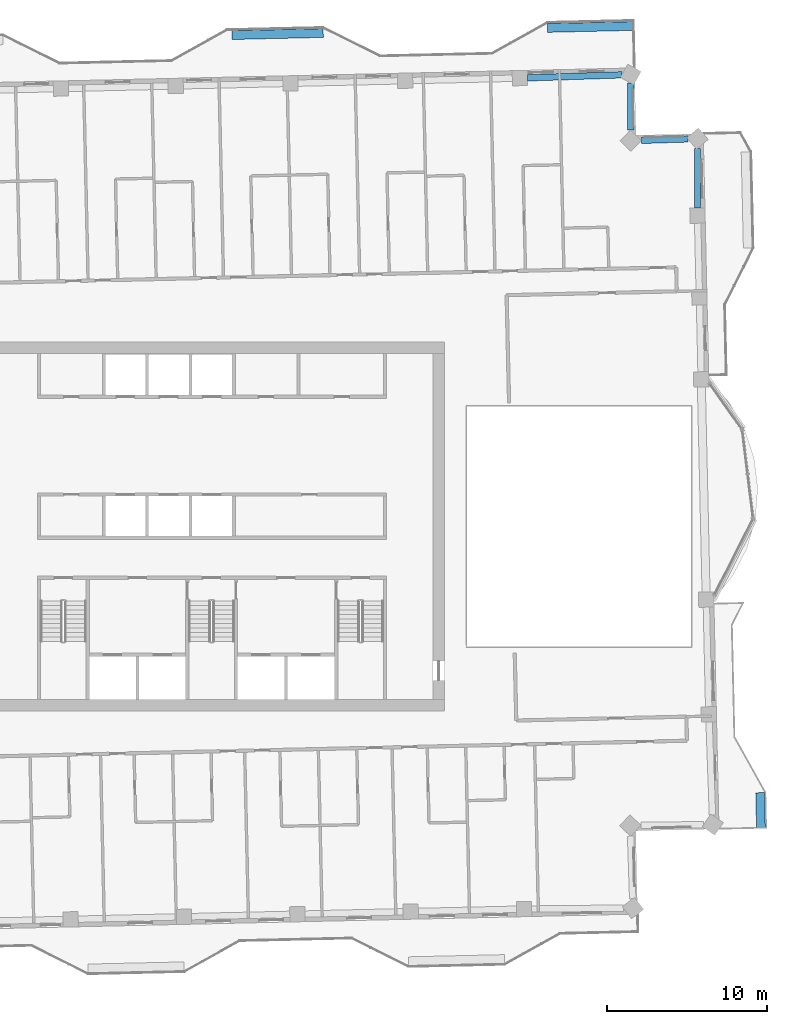
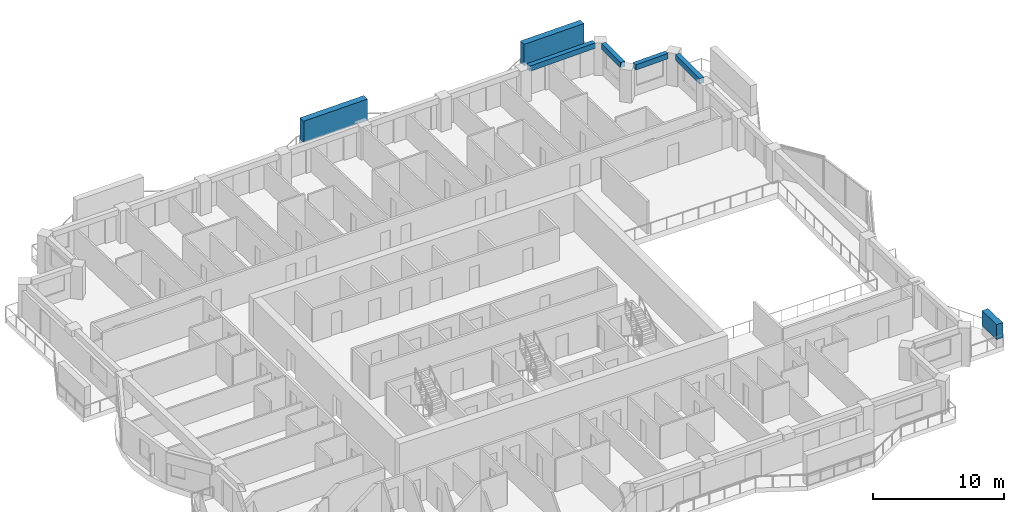
# One storey, part 5 of 20: 4 beams, 3 members.
"""IFC4 building model written with IfcOpenShell, lengths in metres."""

from ifc_helpers import new_model, si_unit, direction, frame, origin, origin_2d, place, context, subcontext, project, spatial, rectangle, extrude, material, material_profile, profile_set, type_object, element, save


model = new_model("IFC4")

# Units and contexts
model_context = context("Model", 3, precision=1e-05, world=origin(), true_north=direction((0.0, 1.0)))
body_context = subcontext(model_context, "Body", "Model", "MODEL_VIEW")
ifc_project = project(units=[si_unit("LENGTHUNIT", "METRE"), si_unit("AREAUNIT", "SQUARE_METRE"), si_unit("VOLUMEUNIT", "CUBIC_METRE"), si_unit("PLANEANGLEUNIT", "RADIAN"), si_unit("MASSUNIT", "GRAM", prefix="KILO")], contexts=[model_context])

# Site, building, storey
site_placement = place(None, origin())
site = spatial("IfcSite", under=ifc_project, at=site_placement, CompositionType="ELEMENT")
building_placement = place(site_placement, origin())
building = spatial("IfcBuilding", under=site, at=building_placement, Name="Mangrove Gate Tower", CompositionType="ELEMENT")
storey_placement = place(building_placement, frame((0.0, 0.0, 294.300048828125)))
storey = spatial("IfcBuildingStorey", under=building, at=storey_placement, Name="L75", CompositionType="ELEMENT", Elevation=294.300048828125)

# Members
ifc_material_1 = material(Name="Planting on aluminium trellis", Category="aluminium")
ifc_material_profile_1 = material_profile(ifc_material_1, rectangle(XDim=0.550048828125, YDim=1.39990234375, at=origin_2d()))
ifc_profile_set_1 = profile_set([ifc_material_profile_1], Name="Planting on aluminium trellis")
member_type_1 = type_object("IfcMemberType", Name="Balcony greenery screen 550x1400", PredefinedType="USERDEFINED", material=ifc_profile_set_1)
member_1_placement = place(storey_placement, frame((34.256103515625, -18.81396484375, 1.5), z_axis=(-0.022754182687, 0.999741090068, 0.0), x_axis=(-0.999741090068, -0.022754182687, 0.0)))
element("IfcMember", 1, at=member_1_placement, inside=storey, type_object=member_type_1, Name="GREEN SCREEN L75 E0.1", ObjectType="PLANTING", PredefinedType="USERDEFINED", context=body_context, shape_type="SweptSolid", body=[
    extrude(rectangle(XDim=0.550048828125, YDim=1.39990234375, at=origin_2d()), origin(), (0.0, 0.0, 1.0), 2.199462890625),
])
ifc_material_2 = material(Name="Planting on aluminium trellis", Category="aluminium")
ifc_material_profile_2 = material_profile(ifc_material_2, rectangle(XDim=0.550048828125, YDim=2.0, at=origin_2d()))
ifc_profile_set_2 = profile_set([ifc_material_profile_2], Name="Planting on aluminium trellis")
member_type_2 = type_object("IfcMemberType", Name="Balcony greenery screen 550x2000", PredefinedType="USERDEFINED", material=ifc_profile_set_2)
member_2_placement = place(storey_placement, frame((1.240966796875, 30.6640625, 1.800048828125), z_axis=(0.999740396355, 0.022784641685, 0.0), x_axis=(-0.022784641685, 0.999740396355, 0.0)))
element("IfcMember", 2, at=member_2_placement, inside=storey, type_object=member_type_2, Name="GREEN SCREEN L75 N0.1", ObjectType="PLANTING", PredefinedType="USERDEFINED", context=body_context, shape_type="SweptSolid", body=[
    extrude(rectangle(XDim=0.550048828125, YDim=2.0, at=origin_2d()), origin(), (0.0, 0.0, 1.0), 5.700439453125),
])
member_3_placement = place(storey_placement, frame((20.93603515625, 31.111083984375, 1.800048828125), z_axis=(0.999742469077, 0.022693512809, 0.0), x_axis=(-0.022693512809, 0.999742469077, 0.0)))
element("IfcMember", 3, at=member_3_placement, inside=storey, type_object=member_type_2, Name="GREEN SCREEN L75 N0.2", ObjectType="PLANTING", PredefinedType="USERDEFINED", context=body_context, shape_type="SweptSolid", body=[
    extrude(rectangle(XDim=0.550048828125, YDim=2.0, at=origin_2d()), origin(), (0.0, 0.0, 1.0), 5.368408203125),
])

# Beams
ifc_material_3 = material(Name="Concrete C50/60", Category="concrete")
ifc_material_profile_3 = material_profile(ifc_material_3, rectangle(XDim=0.39990234375, YDim=0.5, at=origin_2d()))
ifc_profile_set_3 = profile_set([ifc_material_profile_3], Name="Concrete C50/60")
beam_type = type_object("IfcBeamType", Name="Edge beam RC 400x500 C50/60", PredefinedType="BEAM", material=ifc_profile_set_3)
beam_1_placement = place(storey_placement, frame((30.298095703125, 19.872314453125, 2.800048828125), z_axis=(-0.000263504602, 0.999999965283, 0.0), x_axis=(-0.999999965283, -0.000263504602, 0.0)))
element("IfcBeam", 4, at=beam_1_placement, inside=storey, type_object=beam_type, Name="Edge beam L75 19", PredefinedType="BEAM", context=body_context, shape_type="SweptSolid", body=[
    extrude(rectangle(XDim=0.39990234375, YDim=0.5, at=origin_2d()), origin(), (0.0, 0.0, 1.0), 3.7060546875),
])
beam_2_placement = place(storey_placement, frame((29.6865234375, 24.186279296875, 2.800048828125), z_axis=(-0.99952516479, -0.030813064624, 0.0), x_axis=(0.030813064624, -0.99952516479, 0.0)))
element("IfcBeam", 5, at=beam_2_placement, inside=storey, type_object=beam_type, Name="Edge beam L75 20", PredefinedType="BEAM", context=body_context, shape_type="SweptSolid", body=[
    extrude(rectangle(XDim=0.39990234375, YDim=0.5, at=origin_2d()), origin(), (0.0, 0.0, 1.0), 2.89208984375),
])
beam_3_placement = place(storey_placement, frame((26.130126953125, 24.7333984375, 2.800048828125), z_axis=(0.00058381975, 0.999999829577, 0.0), x_axis=(-0.999999829577, 0.00058381975, 0.0)))
element("IfcBeam", 6, at=beam_3_placement, inside=storey, type_object=beam_type, Name="Edge beam L75 21", PredefinedType="BEAM", context=body_context, shape_type="SweptSolid", body=[
    extrude(rectangle(XDim=0.39990234375, YDim=0.5, at=origin_2d()), origin(), (0.0, 0.0, 1.0), 2.92724609375),
])
beam_4_placement = place(storey_placement, frame((25.57861328125, 28.18603515625, 2.800048828125), z_axis=(-0.999481964138, -0.032183899135, 0.0), x_axis=(0.032183899135, -0.999481964138, 0.0)))
element("IfcBeam", 7, at=beam_4_placement, inside=storey, type_object=beam_type, Name="Edge beam L75 22", PredefinedType="BEAM", context=body_context, shape_type="SweptSolid", body=[
    extrude(rectangle(XDim=0.39990234375, YDim=0.5, at=origin_2d()), origin(), (0.0, 0.0, 1.0), 5.894287109375),
])

save(model, "model.ifc")
